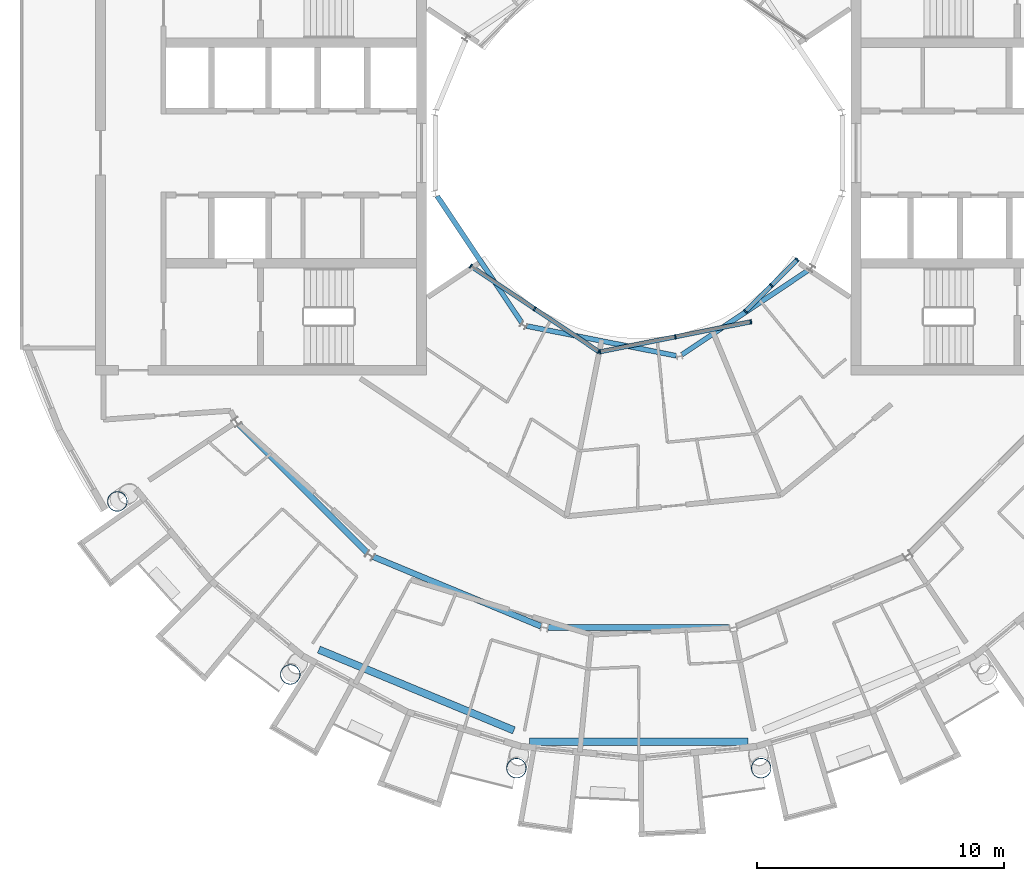
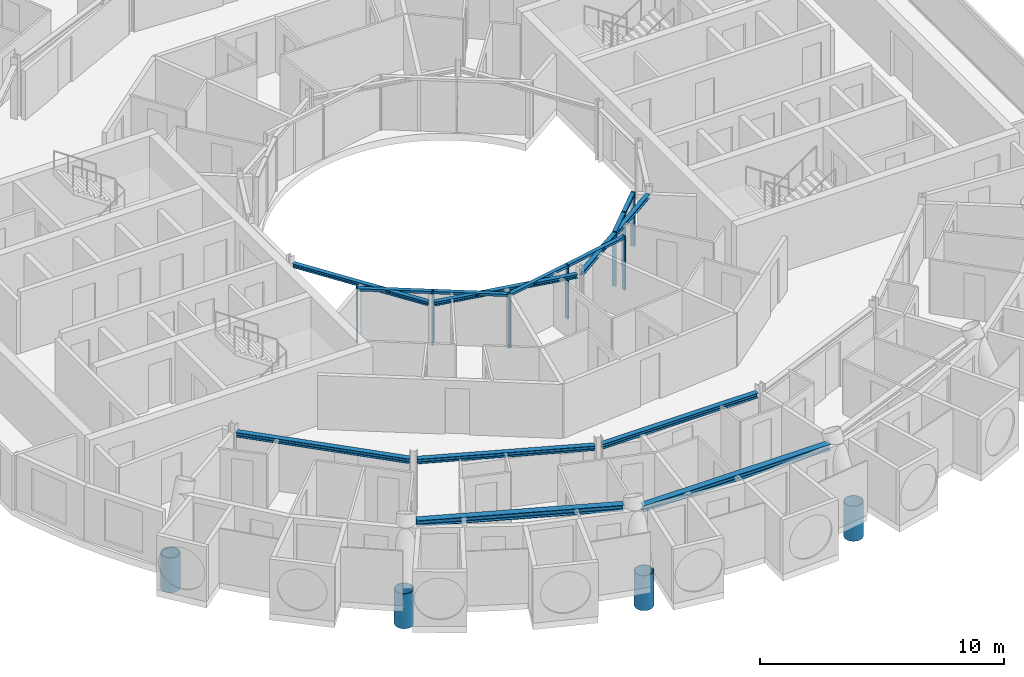
# One storey, part 6 of 27: 19 members, 8 beams, 3 elements without a shape of their own.
"""IFC4 building model written with IfcOpenShell, lengths in metres."""

from ifc_helpers import new_model, si_unit, direction, frame, origin, origin_2d, place, context, subcontext, project, spatial, rectangle, hollow_circle, i_section, extrude, material, layer, layer_set, material_profile, profile_set, type_object, element, aggregate, save


model = new_model("IFC4")

# Units and contexts
model_context = context("Model", 3, precision=1e-05, world=origin(), true_north=direction((0.0, 1.0)))
body_context = subcontext(model_context, "Body", "Model", "MODEL_VIEW")
ifc_project = project(units=[si_unit("LENGTHUNIT", "METRE"), si_unit("AREAUNIT", "SQUARE_METRE"), si_unit("VOLUMEUNIT", "CUBIC_METRE"), si_unit("PLANEANGLEUNIT", "RADIAN"), si_unit("MASSUNIT", "GRAM", prefix="KILO")], contexts=[model_context])

# Site, building, storey
site_placement = place(None, origin())
site = spatial("IfcSite", under=ifc_project, at=site_placement, CompositionType="ELEMENT")
building_placement = place(site_placement, origin())
building = spatial("IfcBuilding", under=site, at=building_placement, Name="Maasbend Ring Residences", CompositionType="ELEMENT")
storey_placement = place(building_placement, frame((0.0, 0.0, 243.199951171875)))
storey = spatial("IfcBuildingStorey", under=building, at=storey_placement, Name="L70", CompositionType="ELEMENT", Elevation=243.199951171875)

# Curtain wall, members
ifc_material_1 = material(Name="Aluminium and clear glass", Category="aluminium")
ifc_layer = layer(ifc_material_1, 0.179931640625)
ifc_layer_set = layer_set([ifc_layer], Name="CW-W")
curtain_wall_type = type_object("IfcCurtainWallType", Name="CW-W", PredefinedType="NOTDEFINED", material=ifc_layer_set)
curtain_wall_1_placement = place(storey_placement, origin())
curtain_wall_1 = element("IfcCurtainWall", 1, at=curtain_wall_1_placement, inside=storey, type_object=curtain_wall_type, Name="Well curtain wall S1", PredefinedType="NOTDEFINED")
ifc_material_2 = material(Name="Aluminium 6063-T6", Category="aluminium")
ifc_material_profile_1 = material_profile(ifc_material_2, rectangle(XDim=0.179931640625, YDim=0.06005859375, at=origin_2d()), Name="AL 180x60")
ifc_profile_set_1 = profile_set([ifc_material_profile_1], Name="Aluminium 6063-T6")
member_type_1 = type_object("IfcMemberType", Name="CWM-W", PredefinedType="MULLION", material=ifc_profile_set_1)
member_1_placement = place(storey_placement, frame((-6.805908203125, -4.580810546875, 0.0), z_axis=(0.0, 0.0, 1.0), x_axis=(0.55557023302, 0.831469612303, 0.0)))
member_1 = element("IfcMember", 2, at=member_1_placement, type_object=member_type_1, Name="Mullion well face", PredefinedType="MULLION", context=body_context, shape_type="SweptSolid", body=[
    extrude(rectangle(XDim=0.179931640625, YDim=0.06005859375, at=origin_2d()), origin(), (0.0, 0.0, 1.0), 2.699951171875),
])
member_2_placement = place(storey_placement, frame((-4.216796875, -6.310791015625, 0.0), z_axis=(0.0, 0.0, 1.0), x_axis=(0.55557023302, 0.831469612303, 0.0)))
member_2 = element("IfcMember", 3, at=member_2_placement, type_object=member_type_1, Name="Mullion well face", PredefinedType="MULLION", context=body_context, shape_type="SweptSolid", body=[
    extrude(rectangle(XDim=0.179931640625, YDim=0.06005859375, at=origin_2d()), origin(), (0.0, 0.0, 1.0), 2.699951171875),
])
member_3_placement = place(storey_placement, frame((-1.627685546875, -8.040771484375, 0.0), z_axis=(0.0, 0.0, 1.0), x_axis=(0.55557023302, 0.831469612303, 0.0)))
member_3 = element("IfcMember", 4, at=member_3_placement, type_object=member_type_1, Name="Mullion well face", PredefinedType="MULLION", context=body_context, shape_type="SweptSolid", body=[
    extrude(rectangle(XDim=0.179931640625, YDim=0.06005859375, at=origin_2d()), origin(), (0.0, 0.0, 1.0), 2.699951171875),
])

curtain_wall_2_placement = place(storey_placement, origin())
curtain_wall_2 = element("IfcCurtainWall", 5, at=curtain_wall_2_placement, inside=storey, type_object=curtain_wall_type, Name="Well curtain wall S2", PredefinedType="NOTDEFINED")
member_4_placement = place(storey_placement, frame((-1.5732421875, -8.0517578125, 0.0), z_axis=(0.0, 0.0, 1.0), x_axis=(-0.195090322016, 0.980785280403, 0.0)))
member_4 = element("IfcMember", 6, at=member_4_placement, type_object=member_type_1, Name="Mullion well face", PredefinedType="MULLION", context=body_context, shape_type="SweptSolid", body=[
    extrude(rectangle(XDim=0.179931640625, YDim=0.06005859375, at=origin_2d()), origin(), (0.0, 0.0, 1.0), 2.699951171875),
])
member_5_placement = place(storey_placement, frame((1.480712890625, -7.444091796875, 0.0), z_axis=(0.0, 0.0, 1.0), x_axis=(-0.195090322016, 0.980785280403, 0.0)))
member_5 = element("IfcMember", 7, at=member_5_placement, type_object=member_type_1, Name="Mullion well face", PredefinedType="MULLION", context=body_context, shape_type="SweptSolid", body=[
    extrude(rectangle(XDim=0.179931640625, YDim=0.06005859375, at=origin_2d()), origin(), (0.0, 0.0, 1.0), 2.699951171875),
])
member_6_placement = place(storey_placement, frame((4.53466796875, -6.836669921875, 0.0), z_axis=(0.0, 0.0, 1.0), x_axis=(-0.195090322016, 0.980785280403, 0.0)))
member_6 = element("IfcMember", 8, at=member_6_placement, type_object=member_type_1, Name="Mullion well face", PredefinedType="MULLION", context=body_context, shape_type="SweptSolid", body=[
    extrude(rectangle(XDim=0.179931640625, YDim=0.06005859375, at=origin_2d()), origin(), (0.0, 0.0, 1.0), 2.699951171875),
])

curtain_wall_3_placement = place(storey_placement, origin())
curtain_wall_3 = element("IfcCurtainWall", 9, at=curtain_wall_3_placement, inside=storey, type_object=curtain_wall_type, Name="Well curtain wall S3", PredefinedType="NOTDEFINED")
member_7_placement = place(storey_placement, frame((4.320556640625, -6.413330078125, 0.0), z_axis=(0.0, 0.0, 1.0), x_axis=(-0.707106781187, 0.707106781187, 0.0)))
member_7 = element("IfcMember", 10, at=member_7_placement, type_object=member_type_1, Name="Mullion well face", PredefinedType="MULLION", context=body_context, shape_type="SweptSolid", body=[
    extrude(rectangle(XDim=0.179931640625, YDim=0.06005859375, at=origin_2d()), origin(), (0.0, 0.0, 1.0), 2.699951171875),
])
member_8_placement = place(storey_placement, frame((5.366943359375, -5.366943359375, 0.0), z_axis=(0.0, 0.0, 1.0), x_axis=(-0.707106781187, 0.707106781187, 0.0)))
member_8 = element("IfcMember", 11, at=member_8_placement, type_object=member_type_1, Name="Mullion well face", PredefinedType="MULLION", context=body_context, shape_type="SweptSolid", body=[
    extrude(rectangle(XDim=0.179931640625, YDim=0.06005859375, at=origin_2d()), origin(), (0.0, 0.0, 1.0), 2.699951171875),
])
member_9_placement = place(storey_placement, frame((6.413330078125, -4.320556640625, 0.0), z_axis=(0.0, 0.0, 1.0), x_axis=(-0.707106781187, 0.707106781187, 0.0)))
member_9 = element("IfcMember", 12, at=member_9_placement, type_object=member_type_1, Name="Mullion well face", PredefinedType="MULLION", context=body_context, shape_type="SweptSolid", body=[
    extrude(rectangle(XDim=0.179931640625, YDim=0.06005859375, at=origin_2d()), origin(), (0.0, 0.0, 1.0), 2.699951171875),
])

# Member
ifc_material_3 = material(Name="Aluminium 6063-T6", Category="aluminium")
ifc_material_profile_2 = material_profile(ifc_material_3, rectangle(XDim=0.179931640625, YDim=0.1201171875, at=origin_2d()), Name="AL 180x120")
ifc_profile_set_2 = profile_set([ifc_material_profile_2], Name="Aluminium 6063-T6")
member_type_2 = type_object("IfcMemberType", Name="CWT-W", PredefinedType="USERDEFINED", material=ifc_profile_set_2)
member_10_placement = place(storey_placement, frame((-6.781005859375, -4.59765625, 2.64013671875), z_axis=(0.831496422459, -0.555530106689, 0.0), x_axis=(0.555530106689, 0.831496422459, 0.0)))
member_10 = element("IfcMember", 13, at=member_10_placement, type_object=member_type_2, Name="Transom well face", ObjectType="TRANSOM", PredefinedType="USERDEFINED", context=body_context, shape_type="SweptSolid", body=[
    extrude(rectangle(XDim=0.179931640625, YDim=0.1201171875, at=origin_2d()), origin(), (0.0, 0.0, 1.0), 3.053955078125),
])

member_11_placement = place(storey_placement, frame((-4.19189453125, -6.32763671875, 2.64013671875), z_axis=(0.831496422459, -0.555530106689, 0.0), x_axis=(0.555530106689, 0.831496422459, 0.0)))
member_11 = element("IfcMember", 14, at=member_11_placement, type_object=member_type_2, Name="Transom well face", ObjectType="TRANSOM", PredefinedType="USERDEFINED", context=body_context, shape_type="SweptSolid", body=[
    extrude(rectangle(XDim=0.179931640625, YDim=0.1201171875, at=origin_2d()), origin(), (0.0, 0.0, 1.0), 3.053955078125),
])

aggregate(curtain_wall_1, [member_1, member_2, member_3, member_10, member_11])

member_12_placement = place(storey_placement, frame((-1.5439453125, -8.0458984375, 2.64013671875), z_axis=(0.980776956105, 0.195132166424, 0.0), x_axis=(-0.195132166424, 0.980776956105, 0.0)))
member_12 = element("IfcMember", 15, at=member_12_placement, type_object=member_type_2, Name="Transom well face", ObjectType="TRANSOM", PredefinedType="USERDEFINED", context=body_context, shape_type="SweptSolid", body=[
    extrude(rectangle(XDim=0.179931640625, YDim=0.1201171875, at=origin_2d()), origin(), (0.0, 0.0, 1.0), 3.053955078125),
])

member_13_placement = place(storey_placement, frame((1.51025390625, -7.438232421875, 2.64013671875), z_axis=(0.980789210404, 0.19507056353, 0.0), x_axis=(-0.19507056353, 0.980789210404, 0.0)))
member_13 = element("IfcMember", 16, at=member_13_placement, type_object=member_type_2, Name="Transom well face", ObjectType="TRANSOM", PredefinedType="USERDEFINED", context=body_context, shape_type="SweptSolid", body=[
    extrude(rectangle(XDim=0.179931640625, YDim=0.1201171875, at=origin_2d()), origin(), (0.0, 0.0, 1.0), 3.0537109375),
])

aggregate(curtain_wall_2, [member_4, member_5, member_6, member_12, member_13])

member_14_placement = place(storey_placement, frame((4.341796875, -6.39208984375, 2.64013671875), z_axis=(0.707106781187, 0.707106781187, 0.0), x_axis=(-0.707106781187, 0.707106781187, 0.0)))
member_14 = element("IfcMember", 17, at=member_14_placement, type_object=member_type_2, Name="Transom well face", ObjectType="TRANSOM", PredefinedType="USERDEFINED", context=body_context, shape_type="SweptSolid", body=[
    extrude(rectangle(XDim=0.179931640625, YDim=0.1201171875, at=origin_2d()), origin(), (0.0, 0.0, 1.0), 1.419677734375),
])

member_15_placement = place(storey_placement, frame((5.38818359375, -5.345703125, 2.64013671875), z_axis=(0.707106781187, 0.707106781187, 0.0), x_axis=(-0.707106781187, 0.707106781187, 0.0)))
member_15 = element("IfcMember", 18, at=member_15_placement, type_object=member_type_2, Name="Transom well face", ObjectType="TRANSOM", PredefinedType="USERDEFINED", context=body_context, shape_type="SweptSolid", body=[
    extrude(rectangle(XDim=0.179931640625, YDim=0.1201171875, at=origin_2d()), origin(), (0.0, 0.0, 1.0), 1.419677734375),
])

aggregate(curtain_wall_3, [member_7, member_8, member_9, member_14, member_15])

# Members
ifc_material_4 = material(Name="Steel S460NH", Category="steel")
ifc_material_profile_3 = material_profile(ifc_material_4, hollow_circle(Radius=0.406494140625, WallThickness=0.030029296875, at=origin_2d()), Name="Column node insert CHS 813x30")
ifc_profile_set_3 = profile_set([ifc_material_profile_3], Name="Steel S460NH")
member_type_3 = type_object("IfcMemberType", Name="Column node insert CHS 813x30", PredefinedType="POST", material=ifc_profile_set_3)
for number, where, z_axis, x_axis, name in (
    (19, (-21.119384765625, -14.111572265625, -1.5), (0.0, 0.0, 1.0), (1.0, 0.0, 0.0), "Column node insert R10"),
    (20, (-14.111572265625, -21.119384765625, -1.5), (0.0, 0.0, 1.0), (1.0, 0.0, 0.0), "Column node insert R11"),
    (21, (-4.955322265625, -24.911865234375, -1.5), (0.0, 0.0, 1.0), (1.0, 0.0, 0.0), "Column node insert R12"),
    (22, (4.955322265625, -24.911865234375, -1.5), (0.0, 0.0, 1.0), (1.0, 0.0, 0.0), "Column node insert R13"),
):
    element("IfcMember", number, at=place(storey_placement, frame(where, z_axis=z_axis, x_axis=x_axis)), inside=storey, type_object=member_type_3, Name=name, PredefinedType="POST", context=body_context, shape_type="SweptSolid", body=[
        extrude(hollow_circle(Radius=0.406494140625, WallThickness=0.030029296875, at=origin_2d()), origin(), (0.0, 0.0, 1.0), 1.741943359375),
    ])

# Beams
ifc_material_5 = material(Name="Steel S355J2", Category="steel")
ifc_material_profile_4 = material_profile(ifc_material_5, i_section(OverallWidth=0.239990234375, OverallDepth=0.22998046875, WebThickness=0.007568359375, FlangeThickness=0.011962890625, FilletRadius=0.02099609375, at=origin_2d()), Name="HEA 240")
ifc_profile_set_4 = profile_set([ifc_material_profile_4], Name="Steel S355J2")
beam_type_1 = type_object("IfcBeamType", Name="Corridor ring beam HEA 240", PredefinedType="BEAM", material=ifc_profile_set_4)
beam_1_placement = place(storey_placement, frame((-16.188720703125, -10.997314453125, 2.5849609375), z_axis=(0.707106781187, -0.707106781187, 0.0), x_axis=(0.707106781187, 0.707106781187, 0.0)))
element("IfcBeam", 23, at=beam_1_placement, inside=storey, type_object=beam_type_1, Name="Corridor ring beam", PredefinedType="BEAM", context=body_context, shape_type="SweptSolid", body=[
    extrude(i_section(OverallWidth=0.239990234375, OverallDepth=0.22998046875, WebThickness=0.007568359375, FlangeThickness=0.011962890625, FilletRadius=0.02099609375, at=origin_2d()), origin(), (0.0, 0.0, 1.0), 7.341796875),
])
beam_2_placement = place(storey_placement, frame((-10.747802734375, -16.355224609375, 2.5849609375), z_axis=(0.923875784142, -0.382692481603, 0.0), x_axis=(0.382692481603, 0.923875784142, 0.0)))
element("IfcBeam", 24, at=beam_2_placement, inside=storey, type_object=beam_type_1, Name="Corridor ring beam", PredefinedType="BEAM", context=body_context, shape_type="SweptSolid", body=[
    extrude(i_section(OverallWidth=0.239990234375, OverallDepth=0.22998046875, WebThickness=0.007568359375, FlangeThickness=0.011962890625, FilletRadius=0.02099609375, at=origin_2d()), origin(), (0.0, 0.0, 1.0), 7.341552734375),
])
beam_3_placement = place(storey_placement, frame((-3.6708984375, -19.223388671875, 2.5849609375), z_axis=(1.0, 0.0, 0.0), x_axis=(0.0, 1.0, 0.0)))
element("IfcBeam", 25, at=beam_3_placement, inside=storey, type_object=beam_type_1, Name="Corridor ring beam", PredefinedType="BEAM", context=body_context, shape_type="SweptSolid", body=[
    extrude(i_section(OverallWidth=0.239990234375, OverallDepth=0.22998046875, WebThickness=0.007568359375, FlangeThickness=0.011962890625, FilletRadius=0.02099609375, at=origin_2d()), origin(), (0.0, 0.0, 1.0), 7.341796875),
])
ifc_material_6 = material(Name="Steel S355J2", Category="steel")
ifc_material_profile_5 = material_profile(ifc_material_6, i_section(OverallWidth=0.300048828125, OverallDepth=0.300048828125, WebThickness=0.010986328125, FlangeThickness=0.01904296875, FilletRadius=0.027099609375, at=origin_2d()), Name="HEB 300")
ifc_profile_set_5 = profile_set([ifc_material_profile_5], Name="Steel S355J2")
beam_type_2 = type_object("IfcBeamType", Name="Spandrel ring beam HEB 300", PredefinedType="SPANDREL", material=ifc_profile_set_5)
beam_4_placement = place(storey_placement, frame((-12.9580078125, -20.11083984375, 2.550048828125), z_axis=(0.923874855432, -0.382694723638, 0.0), x_axis=(0.382694723638, 0.923874855432, 0.0)))
element("IfcBeam", 26, at=beam_4_placement, inside=storey, type_object=beam_type_2, Name="Spandrel ring beam", PredefinedType="SPANDREL", context=body_context, shape_type="SweptSolid", body=[
    extrude(i_section(OverallWidth=0.300048828125, OverallDepth=0.300048828125, WebThickness=0.010986328125, FlangeThickness=0.01904296875, FilletRadius=0.027099609375, at=origin_2d()), origin(), (0.0, 0.0, 1.0), 8.551025390625),
])
beam_5_placement = place(storey_placement, frame((-4.42578125, -23.8388671875, 2.550048828125), z_axis=(1.0, 0.0, 0.0), x_axis=(0.0, 1.0, 0.0)))
element("IfcBeam", 27, at=beam_5_placement, inside=storey, type_object=beam_type_2, Name="Spandrel ring beam", PredefinedType="SPANDREL", context=body_context, shape_type="SweptSolid", body=[
    extrude(i_section(OverallWidth=0.300048828125, OverallDepth=0.300048828125, WebThickness=0.010986328125, FlangeThickness=0.01904296875, FilletRadius=0.027099609375, at=origin_2d()), origin(), (0.0, 0.0, 1.0), 8.8515625),
])
ifc_material_7 = material(Name="Steel S355J2", Category="steel")
ifc_material_profile_6 = material_profile(ifc_material_7, i_section(OverallWidth=0.199951171875, OverallDepth=0.18994140625, WebThickness=0.006591796875, FlangeThickness=0.010009765625, FilletRadius=0.01806640625, at=origin_2d()), Name="HEA 200")
ifc_profile_set_6 = profile_set([ifc_material_profile_6], Name="Steel S355J2")
beam_type_3 = type_object("IfcBeamType", Name="Well edge beam HEA 200", PredefinedType="BEAM", material=ifc_profile_set_6)
for number, where, z_axis, x_axis, name in (
    (28, (-8.16943359375, -1.7421875, 2.60498046875), (0.555547729421, -0.831484648286, 0.0), (0.831484648286, 0.555547729421, 0.0), "Well edge beam"),
    (29, (-4.544677734375, -7.008544921875, 2.60498046875), (0.98078072474, -0.195113223486, 0.0), (0.195113223486, 0.98078072474, 0.0), "Well edge beam"),
    (30, (1.7421875, -8.16943359375, 2.60498046875), (0.831484648286, 0.555547729421, 0.0), (-0.555547729421, 0.831484648286, 0.0), "Well edge beam"),
):
    element("IfcBeam", number, at=place(storey_placement, frame(where, z_axis=z_axis, x_axis=x_axis)), inside=storey, type_object=beam_type_3, Name=name, PredefinedType="BEAM", context=body_context, shape_type="SweptSolid", body=[
        extrude(i_section(OverallWidth=0.199951171875, OverallDepth=0.18994140625, WebThickness=0.006591796875, FlangeThickness=0.010009765625, FilletRadius=0.01806640625, at=origin_2d()), origin(), (0.0, 0.0, 1.0), 6.18017578125),
    ])

save(model, "model.ifc")
